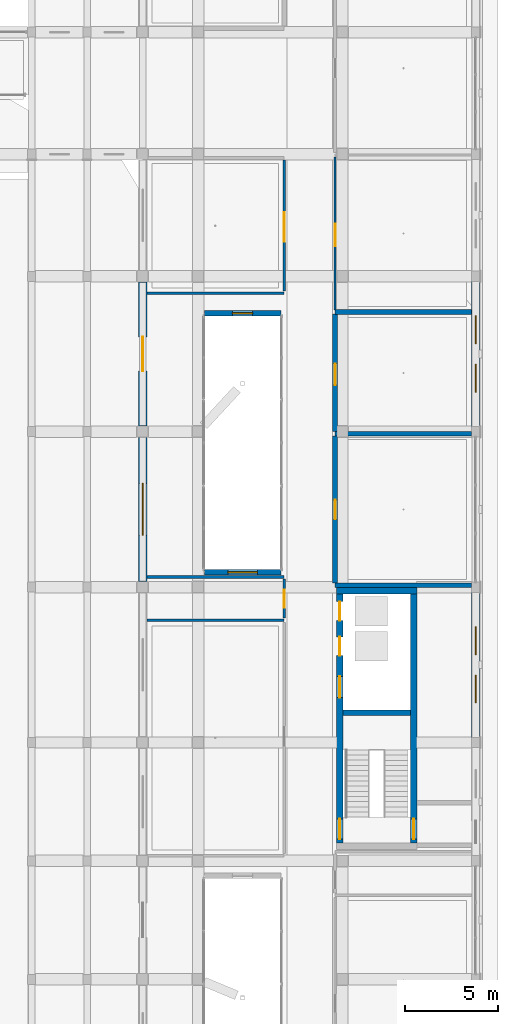
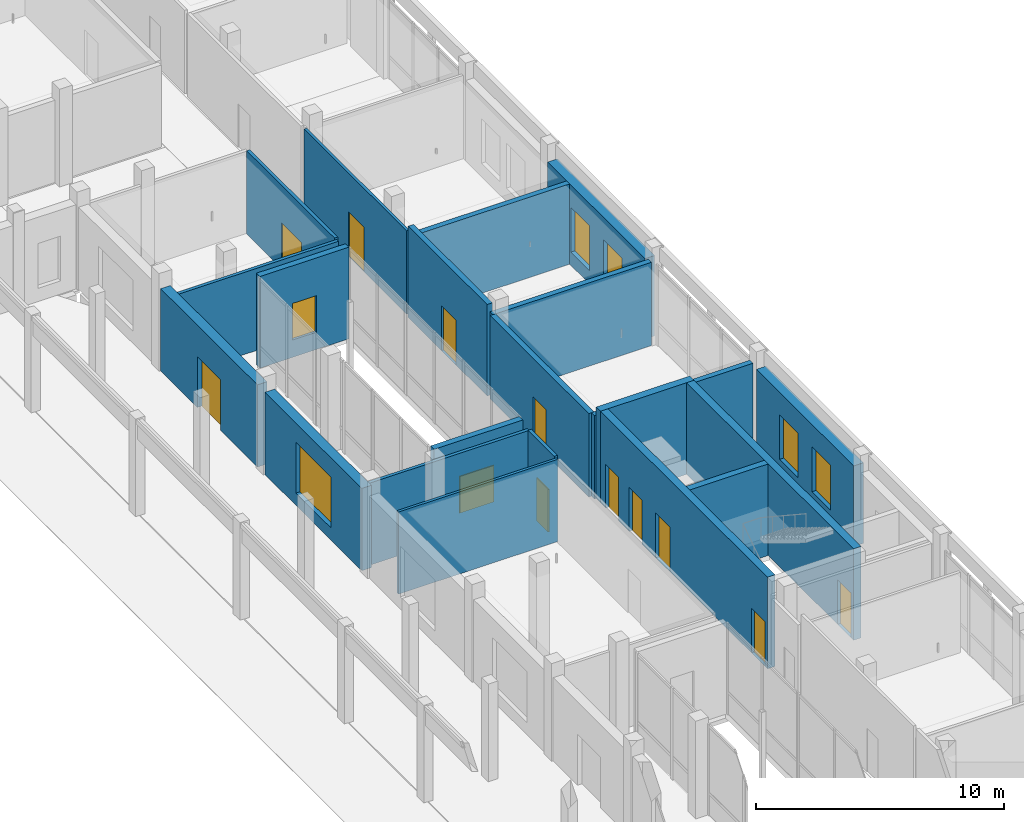
# One storey, part 54 of 88: 21 walls, 11 doors, 7 windows, 18 openings.
"""IFC4 building model written with IfcOpenShell, lengths in metres."""

from ifc_helpers import new_model, si_unit, derived_unit, direction, frame, frame_2d, origin, origin_with_axes, place, context, subcontext, project, spatial, rectangle, extrude, material, layer, layer_set, type_object, element, fill, save


model = new_model("IFC4")

# Units and contexts
model_context = context("Model", 3, precision=1e-05, world=origin(), true_north=direction((0.0, 1.0)))
body_context = subcontext(model_context, "Body", "Model", "MODEL_VIEW")
ifc_project = project(units=[si_unit("LENGTHUNIT", "METRE"), si_unit("AREAUNIT", "SQUARE_METRE"), si_unit("VOLUMEUNIT", "CUBIC_METRE"), si_unit("PLANEANGLEUNIT", "RADIAN"), si_unit("MASSUNIT", "GRAM", prefix="KILO"), derived_unit("THERMALTRANSMITTANCEUNIT", [(si_unit("POWERUNIT", "WATT"), 1), (si_unit("LENGTHUNIT", "METRE"), -2), (si_unit("THERMODYNAMICTEMPERATUREUNIT", "KELVIN"), -1)])], contexts=[model_context])

# Site, building, storey
site_placement = place(None, origin())
site = spatial("IfcSite", under=ifc_project, at=site_placement, CompositionType="ELEMENT")
building_placement = place(site_placement, origin())
building = spatial("IfcBuilding", under=site, at=building_placement, Name="Braskholm Square Health Centre", CompositionType="ELEMENT")
storey_placement = place(building_placement, origin())
storey = spatial("IfcBuildingStorey", under=building, at=storey_placement, Name="L01", CompositionType="ELEMENT", Elevation=0.0)

# Wall, opening, door
ifc_material_1 = material(Name="Acoustic gypsum board partition")
ifc_layer_1 = layer(ifc_material_1, 0.125)
ifc_layer_set_1 = layer_set([ifc_layer_1], Name="Acoustic gypsum board partition")
wall_type_1 = type_object("IfcWallType", Name="ClinicalExamPartition125", PredefinedType="PARTITIONING", material=ifc_layer_set_1)
wall_1_placement = place(storey_placement, frame((156.199951171875, 78.7900390625, 0.0), z_axis=(0.0, 0.0, 1.0), x_axis=(0.0, 1.0, 0.0)))
wall_1 = element("IfcWall", 1, at=wall_1_placement, inside=storey, type_object=wall_type_1, Name="Interior partition PWALL-L01-0308", PredefinedType="PARTITIONING", context=body_context, shape_type="SweptSolid", body=[
    extrude(rectangle(XDim=8.25, YDim=0.125, at=frame_2d((4.125, 0.0))), origin(), (0.0, 0.0, 1.0), 4.094970703125),
])
opening_1_placement = place(wall_1_placement, frame((3.43896484375, 0.0, 0.0)))
opening_1 = element("IfcOpeningElement", 2, at=opening_1_placement, cuts=wall_1, Name="Opening D-04", PredefinedType="OPENING", context=body_context, shape_type="SweptSolid", body=[
    extrude(rectangle(XDim=1.219970703125, YDim=2.199951171875, at=frame_2d((0.60986328125, 1.10009765625))), frame((0.0, 0.072509765625, 0.0), z_axis=(0.0, -1.0, 0.0), x_axis=(1.0, 0.0, 0.0)), (0.0, 0.0, 1.0), 0.14501953125),
])
ifc_material_2 = material(Name="Architectural bronze anodised aluminium", Category="aluminium")
door_type_1 = type_object("IfcDoorType", Name="DoorBariatricExam1220x2200", OperationType="NOTDEFINED", PredefinedType="DOOR", material=ifc_material_2)
door_1_placement = place(opening_1_placement, frame((1.219970703125, 0.0, 0.0), z_axis=(0.0, 0.0, 1.0), x_axis=(-1.0, 0.0, 0.0)))
door_1 = element("IfcDoor", 3, at=door_1_placement, inside=storey, type_object=door_type_1, Name="Interior door 0143 L01", OperationType="SINGLE_SWING_RIGHT", OverallHeight=2.199951171875, OverallWidth=1.219970703125, PredefinedType="DOOR", context=body_context, shape_type="SweptSolid", body=[
    extrude(rectangle(XDim=1.219970703125, YDim=2.199951171875, at=frame_2d((0.60986328125, 1.10009765625))), frame((0.0, 0.02490234375, 0.0), z_axis=(0.0, -1.0, 0.0), x_axis=(1.0, 0.0, 0.0)), (0.0, 0.0, 1.0), 0.050048828125),
])
fill(opening_1, door_1)

# Wall
wall_2_placement = place(storey_placement, frame((146.02490234375, 62.0, 0.0), z_axis=(0.0, 0.0, 1.0), x_axis=(1.0, 0.0, 0.0)))
element("IfcWall", 4, at=wall_2_placement, inside=storey, type_object=wall_type_1, Name="Interior partition PWALL-L01-0325", PredefinedType="PARTITIONING", context=body_context, shape_type="SweptSolid", body=[
    extrude(rectangle(XDim=7.425048828125, YDim=0.125, at=frame_2d((3.71240234375, 0.0))), origin(), (0.0, 0.0, 1.0), 4.034912109375),
])

# Wall, opening, door
ifc_layer_2 = layer(ifc_material_1, 0.14990234375)
ifc_layer_set_2 = layer_set([ifc_layer_2], Name="Acoustic gypsum board partition")
wall_type_2 = type_object("IfcWallType", Name="CorridorAcousticPartition150", PredefinedType="PARTITIONING", material=ifc_layer_set_2)
wall_3_placement = place(storey_placement, frame((153.449951171875, 62.1201171875, 0.0), z_axis=(0.0, 0.0, 1.0), x_axis=(0.0, 1.0, 0.0)))
wall_3 = element("IfcWall", 5, at=wall_3_placement, inside=storey, type_object=wall_type_2, Name="Interior partition PWALL-L01-0326", PredefinedType="PARTITIONING", context=body_context, shape_type="SweptSolid", body=[
    extrude(rectangle(XDim=2.10986328125, YDim=0.14990234375, at=frame_2d((1.054931640625, 0.0))), origin(), (0.0, 0.0, 1.0), 4.094970703125),
])
opening_2_placement = place(wall_3_placement, frame((0.574951171875, 0.0, 0.0)))
opening_2 = element("IfcOpeningElement", 6, at=opening_2_placement, cuts=wall_3, Name="Opening D-05", PredefinedType="OPENING", context=body_context, shape_type="SweptSolid", body=[
    extrude(rectangle(XDim=0.9599609375, YDim=2.10009765625, at=frame_2d((0.47998046875, 1.050048828125))), frame((0.0, 0.0849609375, 0.0), z_axis=(0.0, -1.0, 0.0), x_axis=(1.0, 0.0, 0.0)), (0.0, 0.0, 1.0), 0.169921875),
])
door_type_2 = type_object("IfcDoorType", Name="DoorAccessibleWC960x2100", OperationType="NOTDEFINED", PredefinedType="DOOR", material=ifc_material_2)
door_2_placement = place(opening_2_placement, origin_with_axes())
door_2 = element("IfcDoor", 7, at=door_2_placement, inside=storey, type_object=door_type_2, Name="Interior door 0152 L01", OperationType="SINGLE_SWING_RIGHT", OverallHeight=2.10009765625, OverallWidth=0.9599609375, PredefinedType="DOOR", context=body_context, shape_type="SweptSolid", body=[
    extrude(rectangle(XDim=0.9599609375, YDim=2.10009765625, at=frame_2d((0.47998046875, 1.050048828125))), frame((0.0, 0.02490234375, 0.0), z_axis=(0.0, -1.0, 0.0), x_axis=(1.0, 0.0, 0.0)), (0.0, 0.0, 1.0), 0.050048828125),
])
fill(opening_2, door_2)

# Wall
wall_4_placement = place(storey_placement, frame((146.02490234375, 64.35009765625, 0.0), z_axis=(0.0, 0.0, 1.0), x_axis=(1.0, 0.0, 0.0)))
element("IfcWall", 8, at=wall_4_placement, inside=storey, type_object=wall_type_2, Name="Interior partition PWALL-L01-0327", PredefinedType="PARTITIONING", context=body_context, shape_type="SweptSolid", body=[
    extrude(rectangle(XDim=7.425048828125, YDim=0.14990234375, at=frame_2d((3.71240234375, 0.0))), origin(), (0.0, 0.0, 1.0), 4.034912109375),
])

# Wall, opening, door
wall_5_placement = place(storey_placement, frame((153.449951171875, 79.800048828125, 0.0), z_axis=(0.0, 0.0, 1.0), x_axis=(0.0, 1.0, 0.0)))
wall_5 = element("IfcWall", 9, at=wall_5_placement, inside=storey, type_object=wall_type_2, Name="Interior partition PWALL-L01-0328", PredefinedType="PARTITIONING", context=body_context, shape_type="SweptSolid", body=[
    extrude(rectangle(XDim=7.079833984375, YDim=0.14990234375, at=frame_2d((3.5400390625, 0.0))), origin(), (0.0, 0.0, 1.0), 4.094970703125),
])
opening_3_placement = place(wall_5_placement, frame((2.6650390625, 0.0, 0.0)))
opening_3 = element("IfcOpeningElement", 10, at=opening_3_placement, cuts=wall_5, Name="Opening D-11", PredefinedType="OPENING", context=body_context, shape_type="SweptSolid", body=[
    extrude(rectangle(XDim=1.60009765625, YDim=2.25, at=frame_2d((0.800048828125, 1.125))), frame((0.0, 0.0849609375, 0.0), z_axis=(0.0, -1.0, 0.0), x_axis=(1.0, 0.0, 0.0)), (0.0, 0.0, 1.0), 0.169921875),
])
door_type_3 = type_object("IfcDoorType", Name="DoorClassroomDouble1600x2250", OperationType="DOUBLE_DOOR_SINGLE_SWING", PredefinedType="DOOR", material=ifc_material_2)
door_3_placement = place(opening_3_placement, origin_with_axes())
door_3 = element("IfcDoor", 11, at=door_3_placement, inside=storey, type_object=door_type_3, Name="Interior door 0153 L01", OperationType="DOUBLE_DOOR_SINGLE_SWING", OverallHeight=2.25, OverallWidth=1.60009765625, PredefinedType="DOOR", context=body_context, shape_type="SweptSolid", body=[
    extrude(rectangle(XDim=1.60009765625, YDim=2.25, at=frame_2d((0.800048828125, 1.125))), frame((0.0, 0.02490234375, 0.0), z_axis=(0.0, -1.0, 0.0), x_axis=(1.0, 0.0, 0.0)), (0.0, 0.0, 1.0), 0.050048828125),
])
fill(opening_3, door_3)

# Wall
wall_6_placement = place(storey_placement, frame((146.02490234375, 79.679931640625, 0.0), z_axis=(0.0, 0.0, 1.0), x_axis=(1.0, 0.0, 0.0)))
element("IfcWall", 12, at=wall_6_placement, inside=storey, type_object=wall_type_2, Name="Interior partition PWALL-L01-0329", PredefinedType="PARTITIONING", context=body_context, shape_type="SweptSolid", body=[
    extrude(rectangle(XDim=7.425048828125, YDim=0.14990234375, at=frame_2d((3.71240234375, 0.0))), origin(), (0.0, 0.0, 1.0), 4.034912109375),
])

# Wall, openings, windows
ifc_material_3 = material(Name="Mankato-Kasota dolomitic limestone ashlar", Category="masonry")
ifc_layer_3 = layer(ifc_material_3, 0.449951171875)
ifc_layer_set_3 = layer_set([ifc_layer_3], Name="Mankato-Kasota dolomitic limestone ashlar")
wall_type_3 = type_object("IfcWallType", Name="ExteriorKasotaWall450", PredefinedType="SOLIDWALL", material=ifc_layer_set_3)
wall_7_placement = place(storey_placement, frame((163.800048828125, 55.681884765625, 0.0), z_axis=(0.0, 0.0, 1.0), x_axis=(0.0, 1.0, 0.0)))
wall_7 = element("IfcWall", 13, at=wall_7_placement, inside=storey, type_object=wall_type_3, Name="Exterior wall EWALL-L01-0057", PredefinedType="SOLIDWALL", context=body_context, shape_type="SweptSolid", body=[
    extrude(rectangle(XDim=7.836181640625, YDim=0.449951171875, at=frame_2d((3.91796875, 0.0))), origin(), (0.0, 0.0, 1.0), 3.949951171875),
])
opening_4_placement = place(wall_7_placement, frame((1.862060546875, 0.0, 0.64990234375)))
opening_4 = element("IfcOpeningElement", 14, at=opening_4_placement, cuts=wall_7, Name="Opening WN-03", PredefinedType="OPENING", context=body_context, shape_type="SweptSolid", body=[
    extrude(rectangle(XDim=1.5, YDim=2.199951171875, at=frame_2d((0.75, 1.10009765625))), frame((0.0, 0.23486328125, 0.0), z_axis=(0.0, -1.0, 0.0), x_axis=(1.0, 0.0, 0.0)), (0.0, 0.0, 1.0), 0.469970703125),
])
opening_5_placement = place(wall_7_placement, frame((4.47412109375, 0.0, 0.64990234375)))
opening_5 = element("IfcOpeningElement", 15, at=opening_5_placement, cuts=wall_7, Name="Opening WN-03", PredefinedType="OPENING", context=body_context, shape_type="SweptSolid", body=[
    extrude(rectangle(XDim=1.5, YDim=2.199951171875, at=frame_2d((0.75, 1.10009765625))), frame((0.0, 0.23486328125, 0.0), z_axis=(0.0, -1.0, 0.0), x_axis=(1.0, 0.0, 0.0)), (0.0, 0.0, 1.0), 0.469970703125),
])
ifc_material_4 = material(Name="Low-E triple insulating glass (VLT 0.64)", Category="glass")
window_type_1 = type_object("IfcWindowType", Name="WinArtDecoTwin1500x2200", PartitioningType="SINGLE_PANEL", PredefinedType="WINDOW", material=ifc_material_4)
window_1_placement = place(opening_4_placement, origin_with_axes())
window_1 = element("IfcWindow", 16, at=window_1_placement, inside=storey, type_object=window_type_1, Name="Exterior window 0098 L01", OverallHeight=2.199951171875, OverallWidth=1.5, PartitioningType="SINGLE_PANEL", PredefinedType="WINDOW", context=body_context, shape_type="SweptSolid", body=[
    extrude(rectangle(XDim=1.5, YDim=2.199951171875, at=frame_2d((0.75, 1.10009765625))), frame((0.0, 0.030029296875, 0.0), z_axis=(0.0, -1.0, 0.0), x_axis=(1.0, 0.0, 0.0)), (0.0, 0.0, 1.0), 0.06005859375),
])
fill(opening_4, window_1)
window_2_placement = place(opening_5_placement, origin_with_axes())
window_2 = element("IfcWindow", 17, at=window_2_placement, inside=storey, type_object=window_type_1, Name="Exterior window 0099 L01", OverallHeight=2.199951171875, OverallWidth=1.5, PartitioningType="SINGLE_PANEL", PredefinedType="WINDOW", context=body_context, shape_type="SweptSolid", body=[
    extrude(rectangle(XDim=1.5, YDim=2.199951171875, at=frame_2d((0.75, 1.10009765625))), frame((0.0, 0.030029296875, 0.0), z_axis=(0.0, -1.0, 0.0), x_axis=(1.0, 0.0, 0.0)), (0.0, 0.0, 1.0), 0.06005859375),
])
fill(opening_5, window_2)

wall_8_placement = place(storey_placement, frame((163.800048828125, 72.48193359375, 0.0), z_axis=(0.0, 0.0, 1.0), x_axis=(0.0, 1.0, 0.0)))
wall_8 = element("IfcWall", 18, at=wall_8_placement, inside=storey, type_object=wall_type_3, Name="Exterior wall EWALL-L01-0058", PredefinedType="SOLIDWALL", context=body_context, shape_type="SweptSolid", body=[
    extrude(rectangle(XDim=7.836181640625, YDim=0.449951171875, at=frame_2d((3.91796875, 0.0))), origin(), (0.0, 0.0, 1.0), 3.949951171875),
])
opening_6_placement = place(wall_8_placement, frame((1.862060546875, 0.0, 0.64990234375)))
opening_6 = element("IfcOpeningElement", 19, at=opening_6_placement, cuts=wall_8, Name="Opening WN-03", PredefinedType="OPENING", context=body_context, shape_type="SweptSolid", body=[
    extrude(rectangle(XDim=1.5, YDim=2.199951171875, at=frame_2d((0.75, 1.10009765625))), frame((0.0, 0.23486328125, 0.0), z_axis=(0.0, -1.0, 0.0), x_axis=(1.0, 0.0, 0.0)), (0.0, 0.0, 1.0), 0.469970703125),
])
opening_7_placement = place(wall_8_placement, frame((4.47412109375, 0.0, 0.64990234375)))
opening_7 = element("IfcOpeningElement", 20, at=opening_7_placement, cuts=wall_8, Name="Opening WN-03", PredefinedType="OPENING", context=body_context, shape_type="SweptSolid", body=[
    extrude(rectangle(XDim=1.5, YDim=2.199951171875, at=frame_2d((0.75, 1.10009765625))), frame((0.0, 0.23486328125, 0.0), z_axis=(0.0, -1.0, 0.0), x_axis=(1.0, 0.0, 0.0)), (0.0, 0.0, 1.0), 0.469970703125),
])
window_3_placement = place(opening_6_placement, origin_with_axes())
window_3 = element("IfcWindow", 21, at=window_3_placement, inside=storey, type_object=window_type_1, Name="Exterior window 0100 L01", OverallHeight=2.199951171875, OverallWidth=1.5, PartitioningType="SINGLE_PANEL", PredefinedType="WINDOW", context=body_context, shape_type="SweptSolid", body=[
    extrude(rectangle(XDim=1.5, YDim=2.199951171875, at=frame_2d((0.75, 1.10009765625))), frame((0.0, 0.030029296875, 0.0), z_axis=(0.0, -1.0, 0.0), x_axis=(1.0, 0.0, 0.0)), (0.0, 0.0, 1.0), 0.06005859375),
])
fill(opening_6, window_3)
window_4_placement = place(opening_7_placement, origin_with_axes())
window_4 = element("IfcWindow", 22, at=window_4_placement, inside=storey, type_object=window_type_1, Name="Exterior window 0101 L01", OverallHeight=2.199951171875, OverallWidth=1.5, PartitioningType="SINGLE_PANEL", PredefinedType="WINDOW", context=body_context, shape_type="SweptSolid", body=[
    extrude(rectangle(XDim=1.5, YDim=2.199951171875, at=frame_2d((0.75, 1.10009765625))), frame((0.0, 0.030029296875, 0.0), z_axis=(0.0, -1.0, 0.0), x_axis=(1.0, 0.0, 0.0)), (0.0, 0.0, 1.0), 0.06005859375),
])
fill(opening_7, window_4)

# Wall, opening, window
wall_9_placement = place(storey_placement, frame((145.800048828125, 71.89794921875, 0.0), z_axis=(0.0, 0.0, 1.0), x_axis=(0.0, -1.0, 0.0)))
wall_9 = element("IfcWall", 23, at=wall_9_placement, inside=storey, type_object=wall_type_3, Name="Exterior wall EWALL-L01-0166", PredefinedType="SOLIDWALL", context=body_context, shape_type="SweptSolid", body=[
    extrude(rectangle(XDim=7.7958984375, YDim=0.449951171875, at=frame_2d((3.89794921875, 0.0))), origin(), (0.0, 0.0, 1.0), 4.0400390625),
])
opening_8_placement = place(wall_9_placement, frame((2.498046875, 0.0, 0.60009765625)))
opening_8 = element("IfcOpeningElement", 24, at=opening_8_placement, cuts=wall_9, Name="Opening WN-06", PredefinedType="OPENING", context=body_context, shape_type="SweptSolid", body=[
    extrude(rectangle(XDim=2.800048828125, YDim=2.5, at=frame_2d((1.39990234375, 1.25))), frame((0.0, 0.23486328125, 0.0), z_axis=(0.0, -1.0, 0.0), x_axis=(1.0, 0.0, 0.0)), (0.0, 0.0, 1.0), 0.469970703125),
])
window_type_2 = type_object("IfcWindowType", Name="WinStorefrontWide2800x2500", PartitioningType="SINGLE_PANEL", PredefinedType="WINDOW", material=ifc_material_4)
window_5_placement = place(opening_8_placement, origin_with_axes())
window_5 = element("IfcWindow", 25, at=window_5_placement, inside=storey, type_object=window_type_2, Name="Exterior window 0230 L01", OverallHeight=2.5, OverallWidth=2.800048828125, PartitioningType="SINGLE_PANEL", PredefinedType="WINDOW", context=body_context, shape_type="SweptSolid", body=[
    extrude(rectangle(XDim=2.800048828125, YDim=2.5, at=frame_2d((1.39990234375, 1.25))), frame((0.0, 0.030029296875, 0.0), z_axis=(0.0, -1.0, 0.0), x_axis=(1.0, 0.0, 0.0)), (0.0, 0.0, 1.0), 0.06005859375),
])
fill(opening_8, window_5)

# Wall, opening, door
wall_10_placement = place(storey_placement, frame((145.800048828125, 80.298095703125, 0.0), z_axis=(0.0, 0.0, 1.0), x_axis=(0.0, -1.0, 0.0)))
wall_10 = element("IfcWall", 26, at=wall_10_placement, inside=storey, type_object=wall_type_3, Name="Exterior wall EWALL-L01-0167", PredefinedType="SOLIDWALL", context=body_context, shape_type="SweptSolid", body=[
    extrude(rectangle(XDim=7.796142578125, YDim=0.449951171875, at=frame_2d((3.89794921875, 0.0))), origin(), (0.0, 0.0, 1.0), 4.0400390625),
])
opening_9_placement = place(wall_10_placement, frame((2.968017578125, 0.0, 0.0)))
opening_9 = element("IfcOpeningElement", 27, at=opening_9_placement, cuts=wall_10, Name="Opening D-E2", PredefinedType="OPENING", context=body_context, shape_type="SweptSolid", body=[
    extrude(rectangle(XDim=1.860107421875, YDim=2.5, at=frame_2d((0.93017578125, 1.25))), frame((0.0, 0.23486328125, 0.0), z_axis=(0.0, -1.0, 0.0), x_axis=(1.0, 0.0, 0.0)), (0.0, 0.0, 1.0), 0.469970703125),
])
door_type_4 = type_object("IfcDoorType", Name="DoorSquareEntrancePair1860x2500", OperationType="DOUBLE_DOOR_SINGLE_SWING", PredefinedType="DOOR", material=ifc_material_4)
door_4_placement = place(opening_9_placement, frame((1.860107421875, 0.0, 0.0), z_axis=(0.0, 0.0, 1.0), x_axis=(-1.0, 0.0, 0.0)))
door_4 = element("IfcDoor", 28, at=door_4_placement, inside=storey, type_object=door_type_4, Name="Exterior door 0023 L01", OperationType="DOUBLE_DOOR_SINGLE_SWING", OverallHeight=2.5, OverallWidth=1.860107421875, PredefinedType="DOOR", context=body_context, shape_type="SweptSolid", body=[
    extrude(rectangle(XDim=1.860107421875, YDim=2.5, at=frame_2d((0.93017578125, 1.25))), frame((0.0, 0.02490234375, 0.0), z_axis=(0.0, -1.0, 0.0), x_axis=(1.0, 0.0, 0.0)), (0.0, 0.0, 1.0), 0.050048828125),
])
fill(opening_9, door_4)

# Wall, opening, window
ifc_material_5 = material(Name="Precast concrete C40/50 architectural white", Category="concrete")
ifc_layer_4 = layer(ifc_material_5, 0.280029296875)
ifc_layer_set_4 = layer_set([ifc_layer_4], Name="Precast concrete C40/50 architectural white")
wall_type_4 = type_object("IfcWallType", Name="ExteriorPrecastSpandrelWall280", PredefinedType="SOLIDWALL", material=ifc_layer_set_4)
wall_11_placement = place(storey_placement, frame((153.26611328125, 64.60009765625, 0.0), z_axis=(0.0, 0.0, 1.0), x_axis=(-1.0, 0.0, 0.0)))
wall_11 = element("IfcWall", 29, at=wall_11_placement, inside=storey, type_object=wall_type_4, Name="Exterior wall EWALL-L01-0317", PredefinedType="SOLIDWALL", context=body_context, shape_type="SweptSolid", body=[
    extrude(rectangle(XDim=4.132080078125, YDim=0.280029296875, at=frame_2d((2.06591796875, 0.0))), origin(), (0.0, 0.0, 1.0), 4.5),
])
opening_10_placement = place(wall_11_placement, frame((1.26611328125, 0.0, 0.85009765625)))
opening_10 = element("IfcOpeningElement", 30, at=opening_10_placement, cuts=wall_11, Name="Opening WN-27", PredefinedType="OPENING", context=body_context, shape_type="SweptSolid", body=[
    extrude(rectangle(XDim=1.60009765625, YDim=1.800048828125, at=frame_2d((0.800048828125, 0.89990234375))), frame((0.0, 0.14990234375, 0.0), z_axis=(0.0, -1.0, 0.0), x_axis=(1.0, 0.0, 0.0)), (0.0, 0.0, 1.0), 0.300048828125),
])
window_type_3 = type_object("IfcWindowType", Name="WinLightCourt1600x1800", PartitioningType="SINGLE_PANEL", PredefinedType="WINDOW", material=ifc_material_4)
window_6_placement = place(opening_10_placement, origin_with_axes())
window_6 = element("IfcWindow", 31, at=window_6_placement, inside=storey, type_object=window_type_3, Name="Exterior window 0363 L01", OverallHeight=1.800048828125, OverallWidth=1.60009765625, PartitioningType="SINGLE_PANEL", PredefinedType="WINDOW", context=body_context, shape_type="SweptSolid", body=[
    extrude(rectangle(XDim=1.60009765625, YDim=1.800048828125, at=frame_2d((0.800048828125, 0.89990234375))), frame((0.0, 0.030029296875, 0.0), z_axis=(0.0, -1.0, 0.0), x_axis=(1.0, 0.0, 0.0)), (0.0, 0.0, 1.0), 0.06005859375),
])
fill(opening_10, window_6)

wall_12_placement = place(storey_placement, frame((149.134033203125, 78.60009765625, 0.0), z_axis=(0.0, 0.0, 1.0), x_axis=(1.0, 0.0, 0.0)))
wall_12 = element("IfcWall", 32, at=wall_12_placement, inside=storey, type_object=wall_type_4, Name="Exterior wall EWALL-L01-0318", PredefinedType="SOLIDWALL", context=body_context, shape_type="SweptSolid", body=[
    extrude(rectangle(XDim=4.132080078125, YDim=0.280029296875, at=frame_2d((2.06591796875, 0.0))), origin(), (0.0, 0.0, 1.0), 4.5),
])
opening_11_placement = place(wall_12_placement, frame((1.51611328125, 0.0, 0.85009765625)))
opening_11 = element("IfcOpeningElement", 33, at=opening_11_placement, cuts=wall_12, Name="Opening WN-26", PredefinedType="OPENING", context=body_context, shape_type="SweptSolid", body=[
    extrude(rectangle(XDim=1.10009765625, YDim=1.800048828125, at=frame_2d((0.550048828125, 0.89990234375))), frame((0.0, 0.14990234375, 0.0), z_axis=(0.0, -1.0, 0.0), x_axis=(1.0, 0.0, 0.0)), (0.0, 0.0, 1.0), 0.300048828125),
])
window_type_4 = type_object("IfcWindowType", Name="WinLightCourt1100x1800", PartitioningType="SINGLE_PANEL", PredefinedType="WINDOW", material=ifc_material_4)
window_7_placement = place(opening_11_placement, origin_with_axes())
window_7 = element("IfcWindow", 34, at=window_7_placement, inside=storey, type_object=window_type_4, Name="Exterior window 0364 L01", OverallHeight=1.800048828125, OverallWidth=1.10009765625, PartitioningType="SINGLE_PANEL", PredefinedType="WINDOW", context=body_context, shape_type="SweptSolid", body=[
    extrude(rectangle(XDim=1.10009765625, YDim=1.800048828125, at=frame_2d((0.550048828125, 0.89990234375))), frame((0.0, 0.030029296875, 0.0), z_axis=(0.0, -1.0, 0.0), x_axis=(1.0, 0.0, 0.0)), (0.0, 0.0, 1.0), 0.06005859375),
])
fill(opening_11, window_7)

# Wall, opening, door
ifc_material_6 = material(Name="Concrete C35/45 (f'c = 35 MPa)", Category="concrete")
ifc_layer_5 = layer(ifc_material_6, 0.25)
ifc_layer_set_5 = layer_set([ifc_layer_5], Name="Concrete C35/45 (f'c = 35 MPa)")
wall_type_5 = type_object("IfcWallType", Name="FireBarrierWall250", PredefinedType="SOLIDWALL", material=ifc_layer_set_5)
wall_13_placement = place(storey_placement, frame((156.199951171875, 64.02001953125, 0.0), z_axis=(0.0, 0.0, 1.0), x_axis=(0.0, 1.0, 0.0)))
wall_13 = element("IfcWall", 35, at=wall_13_placement, inside=storey, type_object=wall_type_5, Name="Interior partition PWALL-L01-0303", PredefinedType="SOLIDWALL", context=body_context, shape_type="SweptSolid", body=[
    extrude(rectangle(XDim=7.93994140625, YDim=0.25, at=frame_2d((3.969970703125, 0.0))), origin(), (0.0, 0.0, 1.0), 4.094970703125),
])
opening_12_placement = place(wall_13_placement, frame((3.43994140625, 0.0, 0.0)))
opening_12 = element("IfcOpeningElement", 36, at=opening_12_placement, cuts=wall_13, Name="Opening D-18", PredefinedType="OPENING", context=body_context, shape_type="SweptSolid", body=[
    extrude(rectangle(XDim=1.06005859375, YDim=2.199951171875, at=frame_2d((0.530029296875, 1.10009765625))), frame((0.0, 0.135009765625, 0.0), z_axis=(0.0, -1.0, 0.0), x_axis=(1.0, 0.0, 0.0)), (0.0, 0.0, 1.0), 0.27001953125),
])
door_type_5 = type_object("IfcDoorType", Name="DoorFirePartitionSingle1060x2200", OperationType="NOTDEFINED", PredefinedType="DOOR", material=ifc_material_2)
door_5_placement = place(opening_12_placement, frame((1.06005859375, 0.0, 0.0), z_axis=(0.0, 0.0, 1.0), x_axis=(-1.0, 0.0, 0.0)))
door_5 = element("IfcDoor", 37, at=door_5_placement, inside=storey, type_object=door_type_5, Name="Interior door 0141 L01", OperationType="SINGLE_SWING_LEFT", OverallHeight=2.199951171875, OverallWidth=1.06005859375, PredefinedType="DOOR", context=body_context, shape_type="SweptSolid", body=[
    extrude(rectangle(XDim=1.06005859375, YDim=2.199951171875, at=frame_2d((0.530029296875, 1.10009765625))), frame((0.0, 0.02490234375, 0.0), z_axis=(0.0, -1.0, 0.0), x_axis=(1.0, 0.0, 0.0)), (0.0, 0.0, 1.0), 0.050048828125),
])
fill(opening_12, door_5)

# Walls
for number, where, z_axis, x_axis, name in (
    (38, (156.199951171875, 63.89990234375, 0.0), (0.0, 0.0, 1.0), (1.0, 0.0, 0.0), "Interior partition PWALL-L01-0304"),
    (39, (156.199951171875, 72.080078125, 0.0), (0.0, 0.0, 1.0), (1.0, 0.0, 0.0), "Interior partition PWALL-L01-0305"),
):
    element("IfcWall", number, at=place(storey_placement, frame(where, z_axis=z_axis, x_axis=x_axis)), inside=storey, type_object=wall_type_5, Name=name, PredefinedType="SOLIDWALL", context=body_context, shape_type="SweptSolid", body=[
        extrude(rectangle(XDim=7.375, YDim=0.25, at=frame_2d((3.6875, 0.0))), origin(), (0.0, 0.0, 1.0), 4.094970703125),
    ])

# Wall, opening, door
wall_14_placement = place(storey_placement, frame((156.199951171875, 72.199951171875, 0.0), z_axis=(0.0, 0.0, 1.0), x_axis=(0.0, 1.0, 0.0)))
wall_14 = element("IfcWall", 40, at=wall_14_placement, inside=storey, type_object=wall_type_5, Name="Interior partition PWALL-L01-0306", PredefinedType="SOLIDWALL", context=body_context, shape_type="SweptSolid", body=[
    extrude(rectangle(XDim=6.35009765625, YDim=0.25, at=frame_2d((3.175048828125, 0.0))), origin(), (0.0, 0.0, 1.0), 4.4951171875),
])
opening_13_placement = place(wall_14_placement, frame((2.52001953125, 0.0, 0.0)))
opening_13 = element("IfcOpeningElement", 41, at=opening_13_placement, cuts=wall_14, Name="Opening D-14", PredefinedType="OPENING", context=body_context, shape_type="SweptSolid", body=[
    extrude(rectangle(XDim=1.159912109375, YDim=2.199951171875, at=frame_2d((0.580078125, 1.10009765625))), frame((0.0, 0.135009765625, 0.0), z_axis=(0.0, -1.0, 0.0), x_axis=(1.0, 0.0, 0.0)), (0.0, 0.0, 1.0), 0.27001953125),
])
door_type_6 = type_object("IfcDoorType", Name="DoorCleanroomAirlock1160x2200", OperationType="SLIDING_TO_LEFT", PredefinedType="DOOR", material=ifc_material_2)
door_6_placement = place(opening_13_placement, frame((1.159912109375, 0.0, 0.0), z_axis=(0.0, 0.0, 1.0), x_axis=(-1.0, 0.0, 0.0)))
door_6 = element("IfcDoor", 42, at=door_6_placement, inside=storey, type_object=door_type_6, Name="Interior door 0142 L01", OperationType="SLIDING_TO_LEFT", OverallHeight=2.199951171875, OverallWidth=1.159912109375, PredefinedType="DOOR", context=body_context, shape_type="SweptSolid", body=[
    extrude(rectangle(XDim=1.159912109375, YDim=2.199951171875, at=frame_2d((0.580078125, 1.10009765625))), frame((0.0, 0.02490234375, 0.0), z_axis=(0.0, -1.0, 0.0), x_axis=(1.0, 0.0, 0.0)), (0.0, 0.0, 1.0), 0.050048828125),
])
fill(opening_13, door_6)

# Walls
wall_15_placement = place(storey_placement, frame((156.199951171875, 78.669921875, 0.0), z_axis=(0.0, 0.0, 1.0), x_axis=(1.0, 0.0, 0.0)))
element("IfcWall", 43, at=wall_15_placement, inside=storey, type_object=wall_type_5, Name="Interior partition PWALL-L01-0307", PredefinedType="SOLIDWALL", context=body_context, shape_type="SweptSolid", body=[
    extrude(rectangle(XDim=7.375, YDim=0.25, at=frame_2d((3.6875, 0.0))), origin(), (0.0, 0.0, 1.0), 3.945068359375),
])
ifc_material_7 = material(Name="Concrete C40/50 (f'c = 40 MPa)", Category="concrete")
ifc_layer_6 = layer(ifc_material_7, 0.300048828125)
ifc_layer_set_6 = layer_set([ifc_layer_6], Name="Concrete C40/50 (f'c = 40 MPa)")
wall_type_6 = type_object("IfcWallType", Name="ShearCoreWall300", PredefinedType="SHEAR", material=ifc_layer_set_6)
wall_16_placement = place(storey_placement, frame((156.625, 57.0, 0.0), z_axis=(0.0, 0.0, 1.0), x_axis=(1.0, 0.0, 0.0)))
element("IfcWall", 44, at=wall_16_placement, inside=storey, type_object=wall_type_6, Name="Core K4 internal shear divider L01", PredefinedType="SHEAR", context=body_context, shape_type="SweptSolid", body=[
    extrude(rectangle(XDim=3.64990234375, YDim=0.300048828125, at=frame_2d((1.824951171875, 0.0))), origin(), (0.0, 0.0, 1.0), 4.5),
])
ifc_layer_7 = layer(ifc_material_7, 0.35009765625)
ifc_layer_set_7 = layer_set([ifc_layer_7], Name="Concrete C40/50 (f'c = 40 MPa)")
wall_type_7 = type_object("IfcWallType", Name="ShearCoreWall350", PredefinedType="SHEAR", material=ifc_layer_set_7)
wall_17_placement = place(storey_placement, frame((160.625, 63.60009765625, 0.0), z_axis=(0.0, 0.0, 1.0), x_axis=(-1.0, 0.0, 0.0)))
element("IfcWall", 45, at=wall_17_placement, inside=storey, type_object=wall_type_7, Name="CWALL-K4-L01 north wall", PredefinedType="SHEAR", context=body_context, shape_type="SweptSolid", body=[
    extrude(rectangle(XDim=4.35009765625, YDim=0.35009765625, at=frame_2d((2.175048828125, 0.0))), origin(), (0.0, 0.0, 1.0), 4.5),
])

# Wall, openings, doors
wall_18_placement = place(storey_placement, frame((156.449951171875, 63.425048828125, 0.0), z_axis=(0.0, 0.0, 1.0), x_axis=(0.0, -1.0, 0.0)))
wall_18 = element("IfcWall", 46, at=wall_18_placement, inside=storey, type_object=wall_type_7, Name="CWALL-K4-L01 west wall", PredefinedType="SHEAR", context=body_context, shape_type="SweptSolid", body=[
    extrude(rectangle(XDim=13.449951171875, YDim=0.35009765625, at=frame_2d((6.72509765625, 0.0))), origin(), (0.0, 0.0, 1.0), 4.5),
])
opening_14_placement = place(wall_18_placement, frame((12.14990234375, 0.0, 0.0)))
opening_14 = element("IfcOpeningElement", 47, at=opening_14_placement, cuts=wall_18, Name="Opening D-22", PredefinedType="OPENING", context=body_context, shape_type="SweptSolid", body=[
    extrude(rectangle(XDim=1.10009765625, YDim=2.199951171875, at=frame_2d((0.550048828125, 1.10009765625))), frame((0.0, 0.18505859375, 0.0), z_axis=(0.0, -1.0, 0.0), x_axis=(1.0, 0.0, 0.0)), (0.0, 0.0, 1.0), 0.3701171875),
])
opening_15_placement = place(wall_18_placement, frame((4.449951171875, 0.0, 0.0)))
opening_15 = element("IfcOpeningElement", 48, at=opening_15_placement, cuts=wall_18, Name="Opening LD-1", PredefinedType="OPENING", context=body_context, shape_type="SweptSolid", body=[
    extrude(rectangle(XDim=1.14990234375, YDim=2.199951171875, at=frame_2d((0.574951171875, 1.10009765625))), frame((0.0, 0.18505859375, 0.0), z_axis=(0.0, -1.0, 0.0), x_axis=(1.0, 0.0, 0.0)), (0.0, 0.0, 1.0), 0.3701171875),
])
opening_16_placement = place(wall_18_placement, frame((2.31494140625, 0.0, 0.0)))
opening_16 = element("IfcOpeningElement", 49, at=opening_16_placement, cuts=wall_18, Name="Opening LD-2", PredefinedType="OPENING", context=body_context, shape_type="SweptSolid", body=[
    extrude(rectangle(XDim=1.02001953125, YDim=2.14990234375, at=frame_2d((0.510009765625, 1.074951171875))), frame((0.0, 0.18505859375, 0.0), z_axis=(0.0, -1.0, 0.0), x_axis=(1.0, 0.0, 0.0)), (0.0, 0.0, 1.0), 0.3701171875),
])
opening_17_placement = place(wall_18_placement, frame((0.4150390625, 0.0, 0.0)))
opening_17 = element("IfcOpeningElement", 50, at=opening_17_placement, cuts=wall_18, Name="Opening LD-2", PredefinedType="OPENING", context=body_context, shape_type="SweptSolid", body=[
    extrude(rectangle(XDim=1.02001953125, YDim=2.14990234375, at=frame_2d((0.510009765625, 1.074951171875))), frame((0.0, 0.18505859375, 0.0), z_axis=(0.0, -1.0, 0.0), x_axis=(1.0, 0.0, 0.0)), (0.0, 0.0, 1.0), 0.3701171875),
])
door_type_7 = type_object("IfcDoorType", Name="DoorLiftLandingPassenger1020x2150", OperationType="SLIDING_TO_LEFT", PredefinedType="DOOR", material=ifc_material_2)
door_7_placement = place(opening_16_placement, origin_with_axes())
door_7 = element("IfcDoor", 51, at=door_7_placement, inside=storey, type_object=door_type_7, Name="Elevator EL-05 sliding landing door L01", OperationType="SLIDING_TO_LEFT", OverallHeight=2.14990234375, OverallWidth=1.02001953125, PredefinedType="DOOR", context=body_context, shape_type="SweptSolid", body=[
    extrude(rectangle(XDim=1.02001953125, YDim=2.14990234375, at=frame_2d((0.510009765625, 1.074951171875))), frame((0.0, 0.02490234375, 0.0), z_axis=(0.0, -1.0, 0.0), x_axis=(1.0, 0.0, 0.0)), (0.0, 0.0, 1.0), 0.050048828125),
])
fill(opening_16, door_7)
door_8_placement = place(opening_17_placement, origin_with_axes())
door_8 = element("IfcDoor", 52, at=door_8_placement, inside=storey, type_object=door_type_7, Name="Elevator EL-06 sliding landing door L01", OperationType="SLIDING_TO_LEFT", OverallHeight=2.14990234375, OverallWidth=1.02001953125, PredefinedType="DOOR", context=body_context, shape_type="SweptSolid", body=[
    extrude(rectangle(XDim=1.02001953125, YDim=2.14990234375, at=frame_2d((0.510009765625, 1.074951171875))), frame((0.0, 0.02490234375, 0.0), z_axis=(0.0, -1.0, 0.0), x_axis=(1.0, 0.0, 0.0)), (0.0, 0.0, 1.0), 0.050048828125),
])
fill(opening_17, door_8)
door_type_8 = type_object("IfcDoorType", Name="DoorLiftLandingStretcher1150x2200", OperationType="SLIDING_TO_LEFT", PredefinedType="DOOR", material=ifc_material_2)
door_9_placement = place(opening_15_placement, origin_with_axes())
door_9 = element("IfcDoor", 53, at=door_9_placement, inside=storey, type_object=door_type_8, Name="Elevator EL-02 sliding landing door L01", OperationType="SLIDING_TO_LEFT", OverallHeight=2.199951171875, OverallWidth=1.14990234375, PredefinedType="DOOR", context=body_context, shape_type="SweptSolid", body=[
    extrude(rectangle(XDim=1.14990234375, YDim=2.199951171875, at=frame_2d((0.574951171875, 1.10009765625))), frame((0.0, 0.02490234375, 0.0), z_axis=(0.0, -1.0, 0.0), x_axis=(1.0, 0.0, 0.0)), (0.0, 0.0, 1.0), 0.050048828125),
])
fill(opening_15, door_9)
door_type_9 = type_object("IfcDoorType", Name="DoorStairEnclosure1100x2200", OperationType="NOTDEFINED", PredefinedType="DOOR", material=ifc_material_2)
door_10_placement = place(opening_14_placement, origin_with_axes())
door_10 = element("IfcDoor", 54, at=door_10_placement, inside=storey, type_object=door_type_9, Name="Stair ST-04 door L01", OperationType="SINGLE_SWING_RIGHT", OverallHeight=2.199951171875, OverallWidth=1.10009765625, PredefinedType="DOOR", context=body_context, shape_type="SweptSolid", body=[
    extrude(rectangle(XDim=1.10009765625, YDim=2.199951171875, at=frame_2d((0.550048828125, 1.10009765625))), frame((0.0, 0.02490234375, 0.0), z_axis=(0.0, -1.0, 0.0), x_axis=(1.0, 0.0, 0.0)), (0.0, 0.0, 1.0), 0.050048828125),
])
fill(opening_14, door_10)

# Wall, opening, door
wall_19_placement = place(storey_placement, frame((160.449951171875, 49.97509765625, 0.0), z_axis=(0.0, 0.0, 1.0), x_axis=(0.0, 1.0, 0.0)))
wall_19 = element("IfcWall", 55, at=wall_19_placement, inside=storey, type_object=wall_type_7, Name="CWALL-K4-L01 east wall", PredefinedType="SHEAR", context=body_context, shape_type="SweptSolid", body=[
    extrude(rectangle(XDim=13.449951171875, YDim=0.35009765625, at=frame_2d((6.72509765625, 0.0))), origin(), (0.0, 0.0, 1.0), 4.5),
])
opening_18_placement = place(wall_19_placement, frame((0.199951171875, 0.0, 0.0)))
opening_18 = element("IfcOpeningElement", 56, at=opening_18_placement, cuts=wall_19, Name="Opening D-22", PredefinedType="OPENING", context=body_context, shape_type="SweptSolid", body=[
    extrude(rectangle(XDim=1.10009765625, YDim=2.199951171875, at=frame_2d((0.550048828125, 1.10009765625))), frame((0.0, 0.18505859375, 0.0), z_axis=(0.0, -1.0, 0.0), x_axis=(1.0, 0.0, 0.0)), (0.0, 0.0, 1.0), 0.3701171875),
])
door_11_placement = place(opening_18_placement, frame((1.10009765625, 0.0, 0.0), z_axis=(0.0, 0.0, 1.0), x_axis=(-1.0, 0.0, 0.0)))
door_11 = element("IfcDoor", 57, at=door_11_placement, inside=storey, type_object=door_type_9, Name="Stair ST-04 protected exit passage door", OperationType="SINGLE_SWING_RIGHT", OverallHeight=2.199951171875, OverallWidth=1.10009765625, PredefinedType="DOOR", context=body_context, shape_type="SweptSolid", body=[
    extrude(rectangle(XDim=1.10009765625, YDim=2.199951171875, at=frame_2d((0.550048828125, 1.10009765625))), frame((0.0, 0.02490234375, 0.0), z_axis=(0.0, -1.0, 0.0), x_axis=(1.0, 0.0, 0.0)), (0.0, 0.0, 1.0), 0.050048828125),
])
fill(opening_18, door_11)

save(model, "model.ifc")
